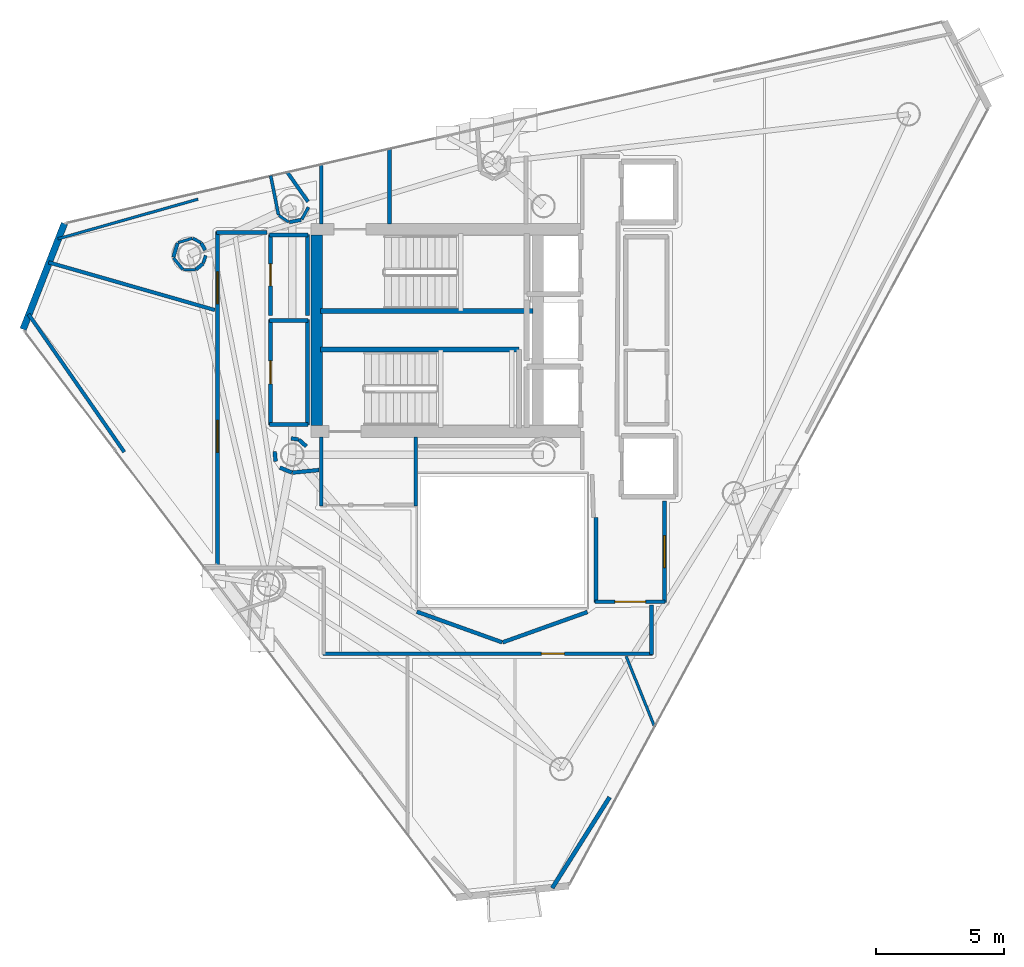
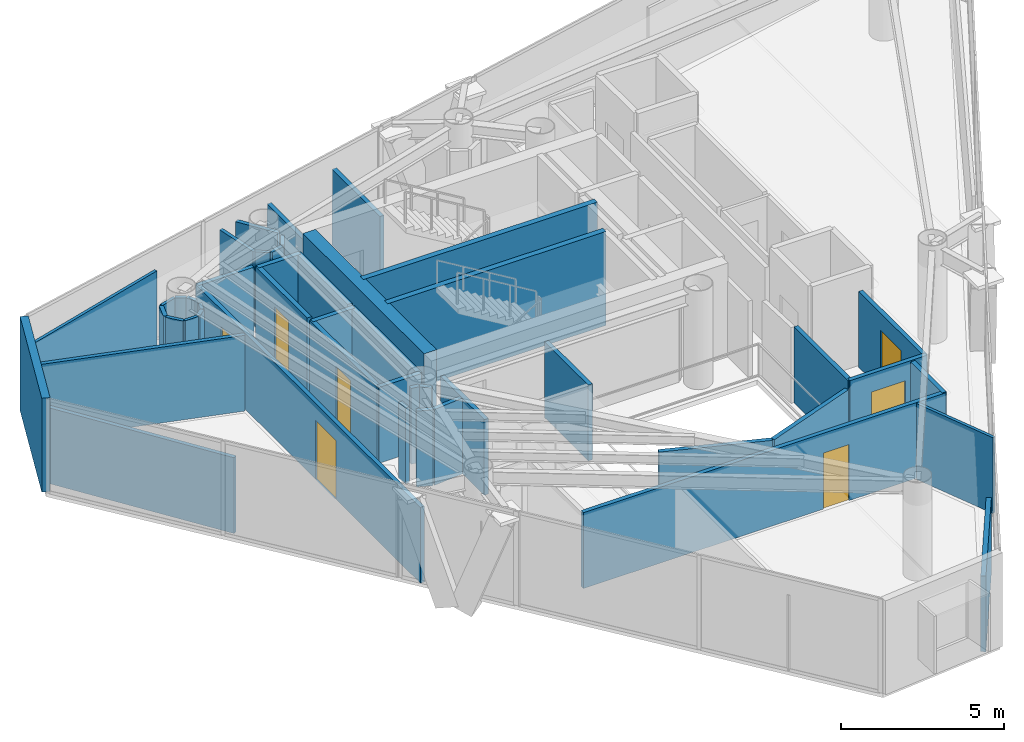
# One storey, part 19 of 24: 47 walls, 7 doors, 7 openings.
"""IFC4 building model written with IfcOpenShell, lengths in metres."""

from ifc_helpers import new_model, si_unit, direction, frame, frame_2d, origin, place, context, subcontext, project, spatial, rectangle, extrude, material, layer, layer_set, type_object, element, fill, save


model = new_model("IFC4")

# Units and contexts
model_context = context("Model", 3, precision=1e-05, world=origin(), true_north=direction((0.0, 1.0)))
body_context = subcontext(model_context, "Body", "Model", "MODEL_VIEW")
ifc_project = project(units=[si_unit("LENGTHUNIT", "METRE"), si_unit("AREAUNIT", "SQUARE_METRE"), si_unit("VOLUMEUNIT", "CUBIC_METRE"), si_unit("PLANEANGLEUNIT", "RADIAN"), si_unit("MASSUNIT", "GRAM", prefix="KILO")], contexts=[model_context])

# Site, building, storey
site_placement = place(None, origin())
site = spatial("IfcSite", under=ifc_project, at=site_placement, CompositionType="ELEMENT")
building_placement = place(site_placement, origin())
building = spatial("IfcBuilding", under=site, at=building_placement, Name="Qianvela Tower", CompositionType="ELEMENT")
storey_placement = place(building_placement, frame((0.0, 0.0, 306.5)))
storey = spatial("IfcBuildingStorey", under=building, at=storey_placement, Name="L79", CompositionType="ELEMENT", Elevation=306.5)

# Walls
ifc_material_1 = material(Name="Terracotta Cladding on Concrete C40", Category="masonry")
ifc_layer_1 = layer(ifc_material_1, 0.260009765625)
ifc_layer_set_1 = layer_set([ifc_layer_1], Name="Terracotta Cladding on Concrete C40")
wall_type_1 = type_object("IfcWallType", Name="TERRACOTTA-WALL-260", PredefinedType="SOLIDWALL", material=ifc_layer_set_1)
wall_1_placement = place(storey_placement, frame((19.709716796875, 32.86865234375, 0.0), z_axis=(0.0, 0.0, 1.0), x_axis=(-0.363769866346, -0.931488853577, 0.0)))
element("IfcWall", 1, at=wall_1_placement, inside=storey, type_object=wall_type_1, Name="L79 Terracotta Chamfer Facet Wall 3", PredefinedType="SOLIDWALL", context=body_context, shape_type="SweptSolid", body=[
    extrude(rectangle(XDim=4.431640625, YDim=0.260009765625, at=frame_2d((2.2158203125, 0.0))), origin(), (0.0, 0.0, 1.0), 3.52001953125),
])
ifc_material_2 = material(Name="Concrete C50", Category="concrete")
ifc_layer_2 = layer(ifc_material_2, 0.449951171875)
ifc_layer_set_2 = layer_set([ifc_layer_2], Name="Concrete C50")
wall_type_2 = type_object("IfcWallType", Name="WT-CORE-450", PredefinedType="SHEAR", material=ifc_layer_set_2)
wall_2_placement = place(storey_placement, frame((29.554931640625, 24.97998046875, 0.0), z_axis=(0.0, 0.0, 1.0), x_axis=(0.0, 1.0, 0.0)))
element("IfcWall", 2, at=wall_2_placement, inside=storey, type_object=wall_type_2, Name="L79 West Core Shear Wall", PredefinedType="SHEAR", context=body_context, shape_type="SweptSolid", body=[
    extrude(rectangle(XDim=7.43994140625, YDim=0.449951171875, at=frame_2d((3.719970703125, 0.0))), origin(), (0.0, 0.0, 1.0), 3.52001953125),
])
ifc_material_3 = material(Name="Fire-Rated Acoustic Gypsum Board")
ifc_layer_3 = layer(ifc_material_3, 0.14990234375)
ifc_layer_set_3 = layer_set([ifc_layer_3], Name="Fire-Rated Acoustic Gypsum Board")
wall_type_3 = type_object("IfcWallType", Name="WT-CORR-150", PredefinedType="PARTITIONING", material=ifc_layer_set_3)
wall_3_placement = place(storey_placement, frame((29.73095703125, 32.85791015625, 0.0), z_axis=(0.0, 0.0, 1.0), x_axis=(0.0, 1.0, 0.0)))
element("IfcWall", 3, at=wall_3_placement, inside=storey, type_object=wall_type_3, Name="L79 Partition 1", PredefinedType="PARTITIONING", context=body_context, shape_type="SweptSolid", body=[
    extrude(rectangle(XDim=2.330810546875, YDim=0.14990234375, at=frame_2d((1.16552734375, 0.0))), origin(), (0.0, 0.0, 1.0), 2.840087890625),
])
wall_4_placement = place(storey_placement, frame((32.388916015625, 35.798828125, 0.0), z_axis=(0.0, 0.0, 1.0), x_axis=(0.0, -1.0, 0.0)))
element("IfcWall", 4, at=wall_4_placement, inside=storey, type_object=wall_type_3, Name="L79 Partition 3", PredefinedType="PARTITIONING", context=body_context, shape_type="SweptSolid", body=[
    extrude(rectangle(XDim=2.94091796875, YDim=0.14990234375, at=frame_2d((1.470458984375, 0.0))), origin(), (0.0, 0.0, 1.0), 2.840087890625),
])
for number, where, z_axis, x_axis, name in (
    (5, (29.73095703125, 21.85009765625, 0.0), (0.0, 0.0, 1.0), (0.0, 1.0, 0.0), "L79 Partition 6"),
    (6, (33.4189453125, 24.5419921875, 0.0), (0.0, 0.0, 1.0), (0.0, -1.0, 0.0), "L79 Partition 8"),
):
    element("IfcWall", number, at=place(storey_placement, frame(where, z_axis=z_axis, x_axis=x_axis)), inside=storey, type_object=wall_type_3, Name=name, PredefinedType="PARTITIONING", context=body_context, shape_type="SweptSolid", body=[
        extrude(rectangle(XDim=2.69189453125, YDim=0.14990234375, at=frame_2d((1.345947265625, 0.0))), origin(), (0.0, 0.0, 1.0), 2.840087890625),
    ])

# Wall, opening, door
wall_5_placement = place(storey_placement, frame((43.118896484375, 22.050048828125, 0.0), z_axis=(0.0, 0.0, 1.0), x_axis=(0.0, -1.0, 0.0)))
wall_5 = element("IfcWall", 7, at=wall_5_placement, inside=storey, type_object=wall_type_3, Name="L79 Partition 16", PredefinedType="PARTITIONING", context=body_context, shape_type="SweptSolid", body=[
    extrude(rectangle(XDim=3.969970703125, YDim=0.14990234375, at=frame_2d((1.98486328125, 0.0))), origin(), (0.0, 0.0, 1.0), 2.840087890625),
])
opening_1_placement = place(wall_5_placement, frame((1.360107421875, 0.0, 0.0)))
opening_1 = element("IfcOpeningElement", 8, at=opening_1_placement, cuts=wall_5, Name="Opening D-LG1", PredefinedType="OPENING", context=body_context, shape_type="SweptSolid", body=[
    extrude(rectangle(XDim=1.25, YDim=2.199951171875, at=frame_2d((0.625, 1.10009765625))), frame((0.0, 0.0849609375, 0.0), z_axis=(0.0, -1.0, 0.0), x_axis=(1.0, 0.0, 0.0)), (0.0, 0.0, 1.0), 0.169921875),
])
ifc_material_4 = material(Name="Anodised Aluminium Acoustic Glass Door", Category="aluminium")
door_type_1 = type_object("IfcDoorType", Name="DT-LOUNGE-1250", OperationType="NOTDEFINED", PredefinedType="DOOR", material=ifc_material_4)
door_1_placement = place(opening_1_placement, origin())
door_1 = element("IfcDoor", 9, at=door_1_placement, inside=storey, type_object=door_type_1, Name="L79 Door Tutorial Breakout Seminar L79-02 to L79 Lift Lobby", OperationType="SINGLE_SWING_LEFT", OverallHeight=2.199951171875, OverallWidth=1.25, PredefinedType="DOOR", context=body_context, shape_type="SweptSolid", body=[
    extrude(rectangle(XDim=1.25, YDim=2.199951171875, at=frame_2d((0.625, 1.10009765625))), frame((0.0, 0.02490234375, 0.0), z_axis=(0.0, -1.0, 0.0), x_axis=(1.0, 0.0, 0.0)), (0.0, 0.0, 1.0), 0.050048828125),
])
fill(opening_1, door_1)

wall_6_placement = place(storey_placement, frame((43.14990234375, 18.111083984375, 0.0), z_axis=(0.0, 0.0, 1.0), x_axis=(-1.0, 0.0, 0.0)))
wall_6 = element("IfcWall", 10, at=wall_6_placement, inside=storey, type_object=wall_type_3, Name="L79 Partition 17", PredefinedType="PARTITIONING", context=body_context, shape_type="SweptSolid", body=[
    extrude(rectangle(XDim=2.72998046875, YDim=0.14990234375, at=frame_2d((1.364990234375, 0.0))), origin(), (0.0, 0.0, 1.0), 2.840087890625),
])
opening_2_placement = place(wall_6_placement, frame((0.764892578125, 0.0, 0.0)))
opening_2 = element("IfcOpeningElement", 11, at=opening_2_placement, cuts=wall_6, Name="Opening D-LB1", PredefinedType="OPENING", context=body_context, shape_type="SweptSolid", body=[
    extrude(rectangle(XDim=1.199951171875, YDim=2.14990234375, at=frame_2d((0.60009765625, 1.074951171875))), frame((0.0, 0.0849609375, 0.0), z_axis=(0.0, -1.0, 0.0), x_axis=(1.0, 0.0, 0.0)), (0.0, 0.0, 1.0), 0.169921875),
])
ifc_material_5 = material(Name="Glazed Fire-Rated Steel Frame", Category="steel")
door_type_2 = type_object("IfcDoorType", Name="DT-LOBBY-FD90", OperationType="NOTDEFINED", PredefinedType="DOOR", material=ifc_material_5)
door_2_placement = place(opening_2_placement, origin())
door_2 = element("IfcDoor", 12, at=door_2_placement, inside=storey, type_object=door_type_2, Name="L79 Door L79 Lift Lobby to L79 Floor Corridor", OperationType="SINGLE_SWING_RIGHT", OverallHeight=2.14990234375, OverallWidth=1.199951171875, PredefinedType="DOOR", context=body_context, shape_type="SweptSolid", body=[
    extrude(rectangle(XDim=1.199951171875, YDim=2.14990234375, at=frame_2d((0.60009765625, 1.074951171875))), frame((0.0, 0.02490234375, 0.0), z_axis=(0.0, -1.0, 0.0), x_axis=(1.0, 0.0, 0.0)), (0.0, 0.0, 1.0), 0.050048828125),
])
fill(opening_2, door_2)

# Walls
wall_7_placement = place(storey_placement, frame((40.450927734375, 18.080078125, 0.0), z_axis=(0.0, 0.0, 1.0), x_axis=(0.0, 1.0, 0.0)))
element("IfcWall", 13, at=wall_7_placement, inside=storey, type_object=wall_type_3, Name="L79 Partition 18 seg 1", PredefinedType="PARTITIONING", context=body_context, shape_type="SweptSolid", body=[
    extrude(rectangle(XDim=3.31982421875, YDim=0.14990234375, at=frame_2d((1.659912109375, 0.0))), origin(), (0.0, 0.0, 1.0), 2.840087890625),
])
wall_8_placement = place(storey_placement, frame((29.148681640625, 24.173095703125, 0.0), z_axis=(0.0, 0.0, 1.0), x_axis=(-0.745225165416, 0.666812906917, 0.0)))
element("IfcWall", 14, at=wall_8_placement, inside=storey, type_object=wall_type_3, Name="L79 Partition 51", PredefinedType="PARTITIONING", context=body_context, shape_type="SweptSolid", body=[
    extrude(rectangle(XDim=0.3955078125, YDim=0.14990234375, at=frame_2d((0.19775390625, 0.0))), origin(), (0.0, 0.0, 1.0), 2.840087890625),
])
wall_9_placement = place(storey_placement, frame((28.837890625, 24.444091796875, 0.0), z_axis=(0.0, 0.0, 1.0), x_axis=(-0.989449148305, 0.144880581578, 0.0)))
element("IfcWall", 15, at=wall_9_placement, inside=storey, type_object=wall_type_3, Name="L79 Partition 52", PredefinedType="PARTITIONING", context=body_context, shape_type="SweptSolid", body=[
    extrude(rectangle(XDim=0.286376953125, YDim=0.14990234375, at=frame_2d((0.14306640625, 0.0))), origin(), (0.0, 0.0, 1.0), 2.840087890625),
])
wall_10_placement = place(storey_placement, frame((25.64990234375, 32.51904296875, 0.0), z_axis=(0.0, 0.0, 1.0), x_axis=(1.0, 0.0, 0.0)))
element("IfcWall", 16, at=wall_10_placement, inside=storey, type_object=wall_type_3, Name="L79 Partition 62", PredefinedType="PARTITIONING", context=body_context, shape_type="SweptSolid", body=[
    extrude(rectangle(XDim=1.97021484375, YDim=0.14990234375, at=frame_2d((0.985107421875, 0.0))), origin(), (0.0, 0.0, 1.0), 2.840087890625),
])
wall_11_placement = place(storey_placement, frame((27.912109375, 23.977783203125, 0.0), z_axis=(0.0, 0.0, 1.0), x_axis=(0.097888269922, -0.995197410875, 0.0)))
element("IfcWall", 17, at=wall_11_placement, inside=storey, type_object=wall_type_3, Name="L79 Partition 64", PredefinedType="PARTITIONING", context=body_context, shape_type="SweptSolid", body=[
    extrude(rectangle(XDim=0.38916015625, YDim=0.14990234375, at=frame_2d((0.194580078125, 0.0))), origin(), (0.0, 0.0, 1.0), 2.840087890625),
])
wall_12_placement = place(storey_placement, frame((28.114501953125, 23.34765625, 0.0), z_axis=(0.0, 0.0, 1.0), x_axis=(0.923807847969, -0.382856448334, 0.0)))
element("IfcWall", 18, at=wall_12_placement, inside=storey, type_object=wall_type_3, Name="L79 Partition 65", PredefinedType="PARTITIONING", context=body_context, shape_type="SweptSolid", body=[
    extrude(rectangle(XDim=0.5126953125, YDim=0.14990234375, at=frame_2d((0.25634765625, 0.0))), origin(), (0.0, 0.0, 1.0), 2.840087890625),
])
wall_13_placement = place(storey_placement, frame((28.60302734375, 23.149169921875, 0.0), z_axis=(0.0, 0.0, 1.0), x_axis=(0.995179827095, 0.098066873836, 0.0)))
element("IfcWall", 19, at=wall_13_placement, inside=storey, type_object=wall_type_3, Name="L79 Partition 66", PredefinedType="PARTITIONING", context=body_context, shape_type="SweptSolid", body=[
    extrude(rectangle(XDim=1.043212890625, YDim=0.14990234375, at=frame_2d((0.521484375, 0.0))), origin(), (0.0, 0.0, 1.0), 2.840087890625),
])
wall_14_placement = place(storey_placement, frame((33.45751953125, 17.723876953125, 0.0), z_axis=(0.0, 0.0, 1.0), x_axis=(0.94128854789, -0.337603124408, 0.0)))
element("IfcWall", 20, at=wall_14_placement, inside=storey, type_object=wall_type_3, Name="L79 Partition 69", PredefinedType="PARTITIONING", context=body_context, shape_type="SweptSolid", body=[
    extrude(rectangle(XDim=3.539794921875, YDim=0.14990234375, at=frame_2d((1.77001953125, 0.0))), origin(), (0.0, 0.0, 1.0), 2.840087890625),
])
wall_15_placement = place(storey_placement, frame((36.810302734375, 16.52880859375, 0.0), z_axis=(0.0, 0.0, 1.0), x_axis=(0.941548344365, 0.33687789364, 0.0)))
element("IfcWall", 21, at=wall_15_placement, inside=storey, type_object=wall_type_3, Name="L79 Partition 70", PredefinedType="PARTITIONING", context=body_context, shape_type="SweptSolid", body=[
    extrude(rectangle(XDim=3.5126953125, YDim=0.14990234375, at=frame_2d((1.75634765625, 0.0))), origin(), (0.0, 0.0, 1.0), 2.840087890625),
])
wall_16_placement = place(storey_placement, frame((42.618896484375, 17.97998046875, 0.0), z_axis=(0.0, 0.0, 1.0), x_axis=(0.0, -1.0, 0.0)))
element("IfcWall", 22, at=wall_16_placement, inside=storey, type_object=wall_type_3, Name="L79 Partition 72", PredefinedType="PARTITIONING", context=body_context, shape_type="SweptSolid", body=[
    extrude(rectangle(XDim=1.929931640625, YDim=0.14990234375, at=frame_2d((0.96484375, 0.0))), origin(), (0.0, 0.0, 1.0), 2.840087890625),
])

# Wall, opening, door
wall_17_placement = place(storey_placement, frame((42.64990234375, 16.0810546875, 0.0), z_axis=(0.0, 0.0, 1.0), x_axis=(-1.0, 0.0, 0.0)))
wall_17 = element("IfcWall", 23, at=wall_17_placement, inside=storey, type_object=wall_type_3, Name="L79 Partition 73", PredefinedType="PARTITIONING", context=body_context, shape_type="SweptSolid", body=[
    extrude(rectangle(XDim=12.849853515625, YDim=0.14990234375, at=frame_2d((6.4248046875, 0.0))), origin(), (0.0, 0.0, 1.0), 2.840087890625),
])
opening_3_placement = place(wall_17_placement, frame((3.4306640625, 0.0, 0.0)))
opening_3 = element("IfcOpeningElement", 24, at=opening_3_placement, cuts=wall_17, Name="Opening D-KT1", PredefinedType="OPENING", context=body_context, shape_type="SweptSolid", body=[
    extrude(rectangle(XDim=0.89990234375, YDim=2.10009765625, at=frame_2d((0.449951171875, 1.050048828125))), frame((0.0, 0.0849609375, 0.0), z_axis=(0.0, -1.0, 0.0), x_axis=(1.0, 0.0, 0.0)), (0.0, 0.0, 1.0), 0.169921875),
])
ifc_material_6 = material(Name="Glazed Timber Kitchen Door", Category="wood")
door_type_3 = type_object("IfcDoorType", Name="DT-KITCH-900", OperationType="NOTDEFINED", PredefinedType="DOOR", material=ifc_material_6)
door_3_placement = place(opening_3_placement, origin())
door_3 = element("IfcDoor", 25, at=door_3_placement, inside=storey, type_object=door_type_3, Name="L79 Door Shared Communal Kitchen L79-05 to L79 Floor Corridor", OperationType="SINGLE_SWING_RIGHT", OverallHeight=2.10009765625, OverallWidth=0.89990234375, PredefinedType="DOOR", context=body_context, shape_type="SweptSolid", body=[
    extrude(rectangle(XDim=0.89990234375, YDim=2.10009765625, at=frame_2d((0.449951171875, 1.050048828125))), frame((0.0, 0.02490234375, 0.0), z_axis=(0.0, -1.0, 0.0), x_axis=(1.0, 0.0, 0.0)), (0.0, 0.0, 1.0), 0.050048828125),
])
fill(opening_3, door_3)

# Wall, openings, doors
wall_18_placement = place(storey_placement, frame((25.680908203125, 18.7587890625, 0.0), z_axis=(0.0, 0.0, 1.0), x_axis=(0.0, 1.0, 0.0)))
wall_18 = element("IfcWall", 26, at=wall_18_placement, inside=storey, type_object=wall_type_3, Name="L79 Partition 76", PredefinedType="PARTITIONING", context=body_context, shape_type="SweptSolid", body=[
    extrude(rectangle(XDim=13.791259765625, YDim=0.14990234375, at=frame_2d((6.8955078125, 0.0))), origin(), (0.0, 0.0, 1.0), 2.840087890625),
])
opening_4_placement = place(wall_18_placement, frame((10.972900390625, 0.0, 0.0)))
opening_4 = element("IfcOpeningElement", 27, at=opening_4_placement, cuts=wall_18, Name="Opening D-LG1", PredefinedType="OPENING", context=body_context, shape_type="SweptSolid", body=[
    extrude(rectangle(XDim=1.25, YDim=2.199951171875, at=frame_2d((0.625, 1.10009765625))), frame((0.0, 0.0849609375, 0.0), z_axis=(0.0, -1.0, 0.0), x_axis=(1.0, 0.0, 0.0)), (0.0, 0.0, 1.0), 0.169921875),
])
opening_5_placement = place(wall_18_placement, frame((5.17919921875, 0.0, 0.0)))
opening_5 = element("IfcOpeningElement", 28, at=opening_5_placement, cuts=wall_18, Name="Opening D-LG1", PredefinedType="OPENING", context=body_context, shape_type="SweptSolid", body=[
    extrude(rectangle(XDim=1.25, YDim=2.199951171875, at=frame_2d((0.625, 1.10009765625))), frame((0.0, 0.0849609375, 0.0), z_axis=(0.0, -1.0, 0.0), x_axis=(1.0, 0.0, 0.0)), (0.0, 0.0, 1.0), 0.169921875),
])
door_4_placement = place(opening_4_placement, origin())
door_4 = element("IfcDoor", 29, at=door_4_placement, inside=storey, type_object=door_type_1, Name="L79 Door Student Reading Library L79-03 to L79 Floor Corridor", OperationType="SINGLE_SWING_RIGHT", OverallHeight=2.199951171875, OverallWidth=1.25, PredefinedType="DOOR", context=body_context, shape_type="SweptSolid", body=[
    extrude(rectangle(XDim=1.25, YDim=2.199951171875, at=frame_2d((0.625, 1.10009765625))), frame((0.0, 0.02490234375, 0.0), z_axis=(0.0, -1.0, 0.0), x_axis=(1.0, 0.0, 0.0)), (0.0, 0.0, 1.0), 0.050048828125),
])
fill(opening_4, door_4)
door_5_placement = place(opening_5_placement, origin())
door_5 = element("IfcDoor", 30, at=door_5_placement, inside=storey, type_object=door_type_1, Name="L79 Door Media Practice Cinema L79-04 to L79 Floor Corridor", OperationType="SINGLE_SWING_LEFT", OverallHeight=2.199951171875, OverallWidth=1.25, PredefinedType="DOOR", context=body_context, shape_type="SweptSolid", body=[
    extrude(rectangle(XDim=1.25, YDim=2.199951171875, at=frame_2d((0.625, 1.10009765625))), frame((0.0, 0.02490234375, 0.0), z_axis=(0.0, -1.0, 0.0), x_axis=(1.0, 0.0, 0.0)), (0.0, 0.0, 1.0), 0.050048828125),
])
fill(opening_5, door_5)

# Walls
ifc_material_7 = material(Name="Lightweight Gypsum Room Partition")
ifc_layer_4 = layer(ifc_material_7, 0.10498046875)
ifc_layer_set_4 = layer_set([ifc_layer_4], Name="Lightweight Gypsum Room Partition")
wall_type_4 = type_object("IfcWallType", Name="WT-PART-105", PredefinedType="PARTITIONING", material=ifc_layer_set_4)
wall_19_placement = place(storey_placement, frame((42.74462890625, 13.214111328125, 0.0), z_axis=(0.0, 0.0, 1.0), x_axis=(-0.374603689746, 0.92718502772, 0.0)))
element("IfcWall", 31, at=wall_19_placement, inside=storey, type_object=wall_type_4, Name="L79 Partition 102", PredefinedType="PARTITIONING", context=body_context, shape_type="SweptSolid", body=[
    extrude(rectangle(XDim=2.98486328125, YDim=0.10498046875, at=frame_2d((1.492431640625, 0.0))), origin(), (0.0, 0.0, 1.0), 2.840087890625),
])
wall_20_placement = place(storey_placement, frame((24.697021484375, 32.291015625, 0.0), z_axis=(0.0, 0.0, 1.0), x_axis=(-0.956910072495, -0.290384423064, 0.0)))
element("IfcWall", 32, at=wall_20_placement, inside=storey, type_object=wall_type_4, Name="L79 Partition 114", PredefinedType="PARTITIONING", context=body_context, shape_type="SweptSolid", body=[
    extrude(rectangle(XDim=0.574951171875, YDim=0.10498046875, at=frame_2d((0.28759765625, 0.0))), origin(), (0.0, 0.0, 1.0), 2.840087890625),
])
wall_21_placement = place(storey_placement, frame((24.353515625, 31.068359375, 0.0), z_axis=(0.0, 0.0, 1.0), x_axis=(1.0, 0.0, 0.0)))
element("IfcWall", 33, at=wall_21_placement, inside=storey, type_object=wall_type_4, Name="L79 Partition 117", PredefinedType="PARTITIONING", context=body_context, shape_type="SweptSolid", body=[
    extrude(rectangle(XDim=0.466796875, YDim=0.10498046875, at=frame_2d((0.2333984375, 0.0))), origin(), (0.0, 0.0, 1.0), 2.840087890625),
])
wall_22_placement = place(storey_placement, frame((19.458740234375, 32.271240234375, 0.0), z_axis=(0.0, 0.0, 1.0), x_axis=(0.962150773197, 0.272517686833, 0.0)))
element("IfcWall", 34, at=wall_22_placement, inside=storey, type_object=wall_type_4, Name="L79 Partition 123 seg 1", PredefinedType="PARTITIONING", context=body_context, shape_type="SweptSolid", body=[
    extrude(rectangle(XDim=5.679931640625, YDim=0.10498046875, at=frame_2d((2.83984375, 0.0))), origin(), (0.0, 0.0, 1.0), 2.840087890625),
])
wall_23_placement = place(storey_placement, frame((28.07568359375, 33.185302734375, 0.0), z_axis=(0.0, 0.0, 1.0), x_axis=(0.831325644669, -0.555785635398, 0.0)))
element("IfcWall", 35, at=wall_23_placement, inside=storey, type_object=wall_type_4, Name="L79 Partition 129", PredefinedType="PARTITIONING", context=body_context, shape_type="SweptSolid", body=[
    extrude(rectangle(XDim=0.467041015625, YDim=0.10498046875, at=frame_2d((0.2333984375, 0.0))), origin(), (0.0, 0.0, 1.0), 2.840087890625),
])
ifc_material_8 = material(Name="Insulated Gypsum Stud Partition")
ifc_layer_5 = layer(ifc_material_8, 0.1201171875)
ifc_layer_set_5 = layer_set([ifc_layer_5], Name="Insulated Gypsum Stud Partition")
wall_type_5 = type_object("IfcWallType", Name="WT-PART-120", PredefinedType="PARTITIONING", material=ifc_layer_set_5)
wall_24_placement = place(storey_placement, frame((25.032958984375, 32.12158203125, 0.0), z_axis=(0.0, 0.0, 1.0), x_axis=(-0.881817981942, 0.471589913721, 0.0)))
element("IfcWall", 36, at=wall_24_placement, inside=storey, type_object=wall_type_5, Name="L79 Partition 113", PredefinedType="PARTITIONING", context=body_context, shape_type="SweptSolid", body=[
    extrude(rectangle(XDim=0.35400390625, YDim=0.1201171875, at=frame_2d((0.177001953125, 0.0))), origin(), (0.0, 0.0, 1.0), 2.840087890625),
])
wall_25_placement = place(storey_placement, frame((23.96484375, 31.5244140625, 0.0), z_axis=(0.0, 0.0, 1.0), x_axis=(0.634277575631, -0.77310539841, 0.0)))
element("IfcWall", 37, at=wall_25_placement, inside=storey, type_object=wall_type_5, Name="L79 Partition 116", PredefinedType="PARTITIONING", context=body_context, shape_type="SweptSolid", body=[
    extrude(rectangle(XDim=0.574951171875, YDim=0.1201171875, at=frame_2d((0.28759765625, 0.0))), origin(), (0.0, 0.0, 1.0), 2.840087890625),
])
wall_26_placement = place(storey_placement, frame((25.123779296875, 31.314697265625, 0.0), z_axis=(0.0, 0.0, 1.0), x_axis=(0.306761714687, 0.951786347035, 0.0)))
element("IfcWall", 38, at=wall_26_placement, inside=storey, type_object=wall_type_5, Name="L79 Partition 119", PredefinedType="PARTITIONING", context=body_context, shape_type="SweptSolid", body=[
    extrude(rectangle(XDim=0.325439453125, YDim=0.1201171875, at=frame_2d((0.16259765625, 0.0))), origin(), (0.0, 0.0, 1.0), 2.840087890625),
])
wall_27_placement = place(storey_placement, frame((27.7578125, 34.736328125, 0.0), z_axis=(0.0, 0.0, 1.0), x_axis=(0.195153744134, -0.980772662828, 0.0)))
element("IfcWall", 39, at=wall_27_placement, inside=storey, type_object=wall_type_5, Name="L79 Partition 128", PredefinedType="PARTITIONING", context=body_context, shape_type="SweptSolid", body=[
    extrude(rectangle(XDim=1.561279296875, YDim=0.1201171875, at=frame_2d((0.78076171875, 0.0))), origin(), (0.0, 0.0, 1.0), 2.840087890625),
])
wall_28_placement = place(storey_placement, frame((28.9658203125, 33.027587890625, 0.0), z_axis=(0.0, 0.0, 1.0), x_axis=(0.489267492682, 0.872133774489, 0.0)))
element("IfcWall", 40, at=wall_28_placement, inside=storey, type_object=wall_type_5, Name="L79 Partition 131", PredefinedType="PARTITIONING", context=body_context, shape_type="SweptSolid", body=[
    extrude(rectangle(XDim=0.54833984375, YDim=0.1201171875, at=frame_2d((0.274169921875, 0.0))), origin(), (0.0, 0.0, 1.0), 2.840087890625),
])

# Wall, opening, door
ifc_material_9 = material(Name="Sanitary Service Chase Partition")
ifc_layer_6 = layer(ifc_material_9, 0.1650390625)
ifc_layer_set_6 = layer_set([ifc_layer_6], Name="Sanitary Service Chase Partition")
wall_type_6 = type_object("IfcWallType", Name="WT-PLUMB-165", PredefinedType="PLUMBINGWALL", material=ifc_layer_set_6)
wall_29_placement = place(storey_placement, frame((27.7509765625, 25.0, 0.0), z_axis=(0.0, 0.0, 1.0), x_axis=(0.0, 1.0, 0.0)))
wall_29 = element("IfcWall", 41, at=wall_29_placement, inside=storey, type_object=wall_type_6, Name="L79 Partition 27", PredefinedType="PLUMBINGWALL", context=body_context, shape_type="SweptSolid", body=[
    extrude(rectangle(XDim=4.1201171875, YDim=0.1650390625, at=frame_2d((2.06005859375, 0.0))), origin(), (0.0, 0.0, 1.0), 2.840087890625),
])
opening_6_placement = place(wall_29_placement, frame((1.610107421875, 0.0, 0.0)))
opening_6 = element("IfcOpeningElement", 42, at=opening_6_placement, cuts=wall_29, Name="Opening D-KT1", PredefinedType="OPENING", context=body_context, shape_type="SweptSolid", body=[
    extrude(rectangle(XDim=0.89990234375, YDim=2.10009765625, at=frame_2d((0.449951171875, 1.050048828125))), frame((0.0, 0.092529296875, 0.0), z_axis=(0.0, -1.0, 0.0), x_axis=(1.0, 0.0, 0.0)), (0.0, 0.0, 1.0), 0.18505859375),
])
door_6_placement = place(opening_6_placement, origin())
door_6 = element("IfcDoor", 43, at=door_6_placement, inside=storey, type_object=door_type_3, Name="L79 Door L79 Core Tea Pantry West to L79 Floor Corridor", OperationType="SINGLE_SWING_LEFT", OverallHeight=2.10009765625, OverallWidth=0.89990234375, PredefinedType="DOOR", context=body_context, shape_type="SweptSolid", body=[
    extrude(rectangle(XDim=0.89990234375, YDim=2.10009765625, at=frame_2d((0.449951171875, 1.050048828125))), frame((0.0, 0.02490234375, 0.0), z_axis=(0.0, -1.0, 0.0), x_axis=(1.0, 0.0, 0.0)), (0.0, 0.0, 1.0), 0.050048828125),
])
fill(opening_6, door_6)

# Walls
wall_30_placement = place(storey_placement, frame((27.719970703125, 29.089111328125, 0.0), z_axis=(0.0, 0.0, 1.0), x_axis=(1.0, 0.0, 0.0)))
element("IfcWall", 44, at=wall_30_placement, inside=storey, type_object=wall_type_6, Name="L79 Partition 28", PredefinedType="PLUMBINGWALL", context=body_context, shape_type="SweptSolid", body=[
    extrude(rectangle(XDim=1.5, YDim=0.1650390625, at=frame_2d((0.75, 0.0))), origin(), (0.0, 0.0, 1.0), 2.840087890625),
])
wall_31_placement = place(storey_placement, frame((29.18896484375, 29.1201171875, 0.0), z_axis=(0.0, 0.0, 1.0), x_axis=(0.0, -1.0, 0.0)))
element("IfcWall", 45, at=wall_31_placement, inside=storey, type_object=wall_type_6, Name="L79 Partition 29", PredefinedType="PLUMBINGWALL", context=body_context, shape_type="SweptSolid", body=[
    extrude(rectangle(XDim=4.1201171875, YDim=0.1650390625, at=frame_2d((2.06005859375, 0.0))), origin(), (0.0, 0.0, 1.0), 2.840087890625),
])
wall_32_placement = place(storey_placement, frame((29.219970703125, 25.031005859375, 0.0), z_axis=(0.0, 0.0, 1.0), x_axis=(-1.0, 0.0, 0.0)))
element("IfcWall", 46, at=wall_32_placement, inside=storey, type_object=wall_type_6, Name="L79 Partition 30", PredefinedType="PLUMBINGWALL", context=body_context, shape_type="SweptSolid", body=[
    extrude(rectangle(XDim=1.5, YDim=0.1650390625, at=frame_2d((0.75, 0.0))), origin(), (0.0, 0.0, 1.0), 2.840087890625),
])

# Wall, opening, door
wall_33_placement = place(storey_placement, frame((27.7509765625, 29.280029296875, 0.0), z_axis=(0.0, 0.0, 1.0), x_axis=(0.0, 1.0, 0.0)))
wall_33 = element("IfcWall", 47, at=wall_33_placement, inside=storey, type_object=wall_type_6, Name="L79 Partition 31", PredefinedType="PLUMBINGWALL", context=body_context, shape_type="SweptSolid", body=[
    extrude(rectangle(XDim=3.169921875, YDim=0.1650390625, at=frame_2d((1.5849609375, 0.0))), origin(), (0.0, 0.0, 1.0), 2.840087890625),
])
opening_7_placement = place(wall_33_placement, frame((1.155029296875, 0.0, 0.0)))
opening_7 = element("IfcOpeningElement", 48, at=opening_7_placement, cuts=wall_33, Name="Opening D-WC1", PredefinedType="OPENING", context=body_context, shape_type="SweptSolid", body=[
    extrude(rectangle(XDim=0.860107421875, YDim=2.050048828125, at=frame_2d((0.43017578125, 1.02490234375))), frame((0.0, 0.092529296875, 0.0), z_axis=(0.0, -1.0, 0.0), x_axis=(1.0, 0.0, 0.0)), (0.0, 0.0, 1.0), 0.18505859375),
])
ifc_material_10 = material(Name="Moisture-Sealed Acoustic Timber Door", Category="wood")
door_type_4 = type_object("IfcDoorType", Name="DT-WC-860", OperationType="NOTDEFINED", PredefinedType="DOOR", material=ifc_material_10)
door_7_placement = place(opening_7_placement, origin())
door_7 = element("IfcDoor", 49, at=door_7_placement, inside=storey, type_object=door_type_4, Name="L79 Door L79 Accessible WC to L79 Floor Corridor", OperationType="SINGLE_SWING_RIGHT", OverallHeight=2.050048828125, OverallWidth=0.860107421875, PredefinedType="DOOR", context=body_context, shape_type="SweptSolid", body=[
    extrude(rectangle(XDim=0.860107421875, YDim=2.050048828125, at=frame_2d((0.43017578125, 1.02490234375))), frame((0.0, 0.02490234375, 0.0), z_axis=(0.0, -1.0, 0.0), x_axis=(1.0, 0.0, 0.0)), (0.0, 0.0, 1.0), 0.050048828125),
])
fill(opening_7, door_7)

# Walls
wall_34_placement = place(storey_placement, frame((27.719970703125, 32.4189453125, 0.0), z_axis=(0.0, 0.0, 1.0), x_axis=(1.0, 0.0, 0.0)))
element("IfcWall", 50, at=wall_34_placement, inside=storey, type_object=wall_type_6, Name="L79 Partition 32", PredefinedType="PLUMBINGWALL", context=body_context, shape_type="SweptSolid", body=[
    extrude(rectangle(XDim=1.5, YDim=0.1650390625, at=frame_2d((0.75, 0.0))), origin(), (0.0, 0.0, 1.0), 2.840087890625),
])
wall_35_placement = place(storey_placement, frame((29.18896484375, 32.449951171875, 0.0), z_axis=(0.0, 0.0, 1.0), x_axis=(0.0, -1.0, 0.0)))
element("IfcWall", 51, at=wall_35_placement, inside=storey, type_object=wall_type_6, Name="L79 Partition 33", PredefinedType="PLUMBINGWALL", context=body_context, shape_type="SweptSolid", body=[
    extrude(rectangle(XDim=3.169921875, YDim=0.1650390625, at=frame_2d((1.5849609375, 0.0))), origin(), (0.0, 0.0, 1.0), 2.840087890625),
])
wall_36_placement = place(storey_placement, frame((40.981689453125, 10.486572265625, 0.0), z_axis=(0.0, 0.0, 1.0), x_axis=(-0.534021459167, -0.84547092271, 0.0)))
element("IfcWall", 52, at=wall_36_placement, inside=storey, type_object=wall_type_6, Name="L79 Partition 136 seg 1", PredefinedType="PLUMBINGWALL", context=body_context, shape_type="SweptSolid", body=[
    extrude(rectangle(XDim=4.194580078125, YDim=0.1650390625, at=frame_2d((2.09716796875, 0.0))), origin(), (0.0, 0.0, 1.0), 2.840087890625),
])
ifc_material_11 = material(Name="Acoustic Double Gypsum Stud Partition")
ifc_layer_7 = layer(ifc_material_11, 0.139892578125)
ifc_layer_set_7 = layer_set([ifc_layer_7], Name="Acoustic Double Gypsum Stud Partition")
wall_type_7 = type_object("IfcWallType", Name="WT-ROOM-140", PredefinedType="PARTITIONING", material=ifc_layer_set_7)
wall_37_placement = place(storey_placement, frame((25.20263671875, 31.8291015625, 0.0), z_axis=(0.0, 0.0, 1.0), x_axis=(-0.488926990846, 0.872324708823, 0.0)))
element("IfcWall", 53, at=wall_37_placement, inside=storey, type_object=wall_type_7, Name="L79 Partition 112", PredefinedType="PARTITIONING", context=body_context, shape_type="SweptSolid", body=[
    extrude(rectangle(XDim=0.321533203125, YDim=0.139892578125, at=frame_2d((0.16064453125, 0.0))), origin(), (0.0, 0.0, 1.0), 2.840087890625),
])
wall_38_placement = place(storey_placement, frame((24.1259765625, 32.103271484375, 0.0), z_axis=(0.0, 0.0, 1.0), x_axis=(-0.290384423064, -0.956910072495, 0.0)))
element("IfcWall", 54, at=wall_38_placement, inside=storey, type_object=wall_type_7, Name="L79 Partition 115", PredefinedType="PARTITIONING", context=body_context, shape_type="SweptSolid", body=[
    extrude(rectangle(XDim=0.574951171875, YDim=0.139892578125, at=frame_2d((0.28759765625, 0.0))), origin(), (0.0, 0.0, 1.0), 2.840087890625),
])
wall_39_placement = place(storey_placement, frame((24.840087890625, 31.075439453125, 0.0), z_axis=(0.0, 0.0, 1.0), x_axis=(0.773281307259, 0.634063103992, 0.0)))
element("IfcWall", 55, at=wall_39_placement, inside=storey, type_object=wall_type_7, Name="L79 Partition 118", PredefinedType="PARTITIONING", context=body_context, shape_type="SweptSolid", body=[
    extrude(rectangle(XDim=0.354248046875, YDim=0.139892578125, at=frame_2d((0.17724609375, 0.0))), origin(), (0.0, 0.0, 1.0), 2.840087890625),
])
wall_40_placement = place(storey_placement, frame((25.57861328125, 29.494384765625, 0.0), z_axis=(0.0, 0.0, 1.0), x_axis=(-0.961265309794, 0.275624752494, 0.0)))
element("IfcWall", 56, at=wall_40_placement, inside=storey, type_object=wall_type_7, Name="L79 Partition 121", PredefinedType="PARTITIONING", context=body_context, shape_type="SweptSolid", body=[
    extrude(rectangle(XDim=6.743408203125, YDim=0.139892578125, at=frame_2d((3.37158203125, 0.0))), origin(), (0.0, 0.0, 1.0), 2.840087890625),
])
wall_41_placement = place(storey_placement, frame((29.214111328125, 33.71875, 0.0), z_axis=(0.0, 0.0, 1.0), x_axis=(-0.573981241373, 0.818868447647, 0.0)))
element("IfcWall", 57, at=wall_41_placement, inside=storey, type_object=wall_type_7, Name="L79 Partition 124", PredefinedType="PARTITIONING", context=body_context, shape_type="SweptSolid", body=[
    extrude(rectangle(XDim=1.420654296875, YDim=0.139892578125, at=frame_2d((0.71044921875, 0.0))), origin(), (0.0, 0.0, 1.0), 2.840087890625),
])
wall_42_placement = place(storey_placement, frame((28.487060546875, 32.92138671875, 0.0), z_axis=(0.0, 0.0, 1.0), x_axis=(0.980781345641, 0.19511010236, 0.0)))
element("IfcWall", 58, at=wall_42_placement, inside=storey, type_object=wall_type_7, Name="L79 Partition 130", PredefinedType="PARTITIONING", context=body_context, shape_type="SweptSolid", body=[
    extrude(rectangle(XDim=0.466796875, YDim=0.139892578125, at=frame_2d((0.2333984375, 0.0))), origin(), (0.0, 0.0, 1.0), 2.840087890625),
])
wall_43_placement = place(storey_placement, frame((22.043212890625, 23.9541015625, 0.0), z_axis=(0.0, 0.0, 1.0), x_axis=(-0.570376937769, 0.821383070718, 0.0)))
element("IfcWall", 59, at=wall_43_placement, inside=storey, type_object=wall_type_7, Name="L79 Partition 133 seg 1", PredefinedType="PARTITIONING", context=body_context, shape_type="SweptSolid", body=[
    extrude(rectangle(XDim=6.5458984375, YDim=0.139892578125, at=frame_2d((3.27294921875, 0.0))), origin(), (0.0, 0.0, 1.0), 2.840087890625),
])
ifc_material_12 = material(Name="Concrete C50", Category="concrete")
ifc_layer_8 = layer(ifc_material_12, 0.199951171875)
ifc_layer_set_8 = layer_set([ifc_layer_8], Name="Concrete C50")
wall_type_8 = type_object("IfcWallType", Name="WT-SHAFT-200", PredefinedType="SOLIDWALL", material=ifc_layer_set_8)
wall_44_placement = place(storey_placement, frame((29.699951171875, 29.449951171875, 0.0), z_axis=(0.0, 0.0, 1.0), x_axis=(1.0, 0.0, 0.0)))
element("IfcWall", 60, at=wall_44_placement, inside=storey, type_object=wall_type_8, Name="L79 Stair ST-1 South Wall", PredefinedType="SOLIDWALL", context=body_context, shape_type="SweptSolid", body=[
    extrude(rectangle(XDim=8.300048828125, YDim=0.199951171875, at=frame_2d((4.14990234375, 0.0))), origin(), (0.0, 0.0, 1.0), 3.52001953125),
])
wall_45_placement = place(storey_placement, frame((29.699951171875, 27.9599609375, 0.0), z_axis=(0.0, 0.0, 1.0), x_axis=(1.0, 0.0, 0.0)))
element("IfcWall", 61, at=wall_45_placement, inside=storey, type_object=wall_type_8, Name="L79 Stair ST-2 North Wall", PredefinedType="SOLIDWALL", context=body_context, shape_type="SweptSolid", body=[
    extrude(rectangle(XDim=7.75, YDim=0.199951171875, at=frame_2d((3.875, 0.0))), origin(), (0.0, 0.0, 1.0), 3.52001953125),
])

save(model, "model.ifc")
